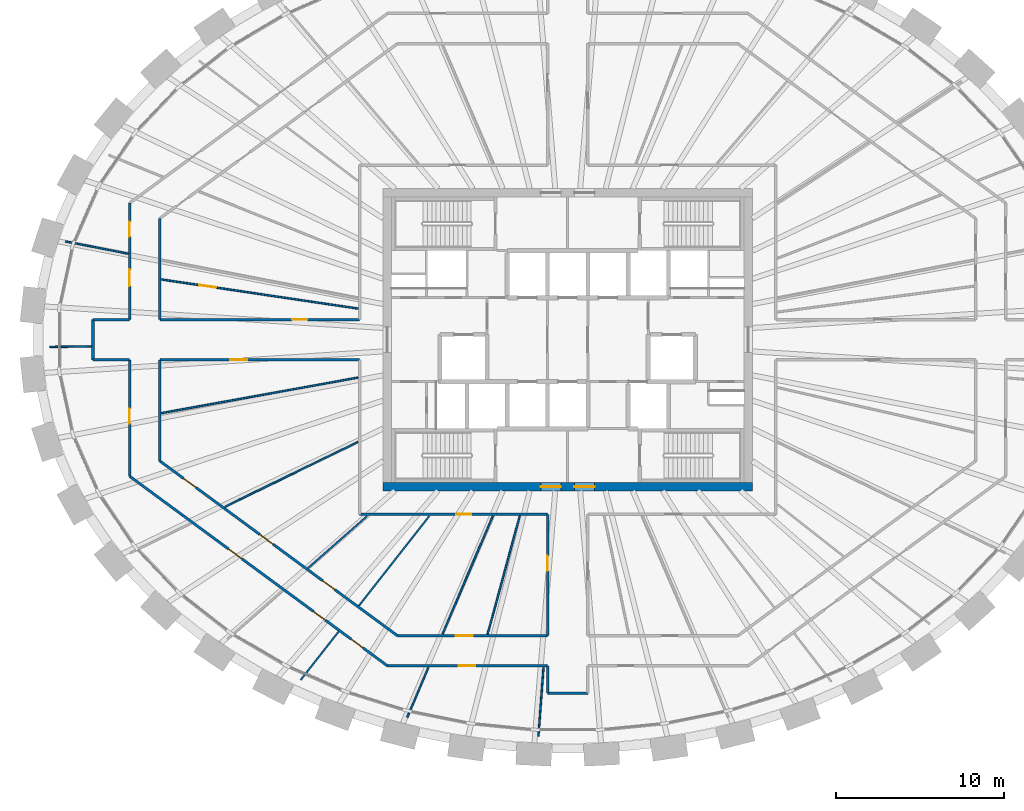
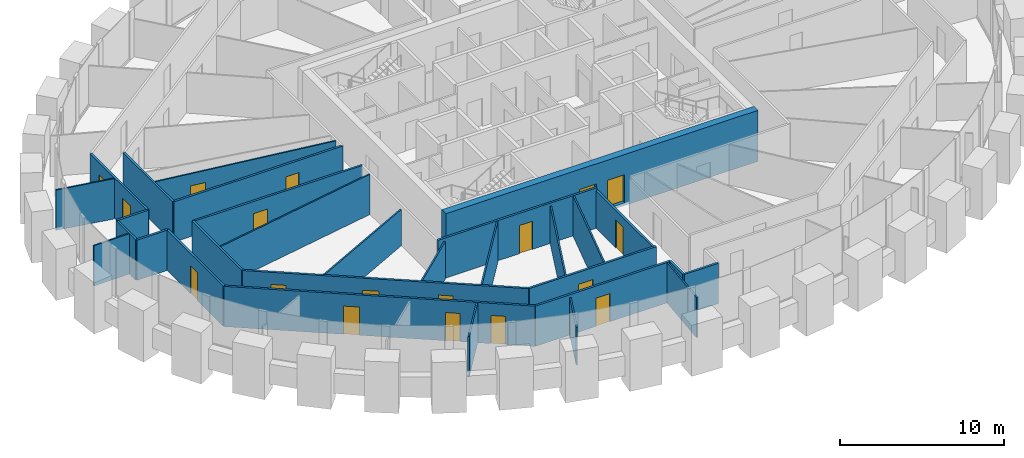
# One storey, part 6 of 12: 30 walls, 18 doors, 18 openings.
"""IFC4 building model written with IfcOpenShell, lengths in metres."""

from ifc_helpers import new_model, si_unit, direction, frame, frame_2d, origin, place, context, subcontext, project, spatial, rectangle, extrude, source, transform, mapped, material, layer, layer_set, type_object, element, fill, save


model = new_model("IFC4")

# Units and contexts
model_context = context("Model", 3, precision=1e-05, world=origin(), true_north=direction((0.0, 1.0)))
body_context = subcontext(model_context, "Body", "Model", "MODEL_VIEW")
ifc_project = project(units=[si_unit("LENGTHUNIT", "METRE"), si_unit("AREAUNIT", "SQUARE_METRE"), si_unit("VOLUMEUNIT", "CUBIC_METRE"), si_unit("PLANEANGLEUNIT", "RADIAN"), si_unit("MASSUNIT", "GRAM", prefix="KILO")], contexts=[model_context])

# Site, building, storey
site_placement = place(None, origin())
site = spatial("IfcSite", under=ifc_project, at=site_placement, CompositionType="ELEMENT")
building_placement = place(site_placement, origin())
building = spatial("IfcBuilding", under=site, at=building_placement, Name="Embergate Tower", CompositionType="ELEMENT")
storey_placement = place(building_placement, frame((0.0, 0.0, 285.10009765625)))
storey = spatial("IfcBuildingStorey", under=building, at=storey_placement, Name="L66", CompositionType="ELEMENT", Elevation=285.10009765625)

# Wall, openings, doors
ifc_material_1 = material(Name="Concrete C50", Category="concrete")
ifc_layer_1 = layer(ifc_material_1, 0.5)
ifc_layer_set_1 = layer_set([ifc_layer_1], Name="Concrete C50")
wall_type_1 = type_object("IfcWallType", Name="Core outer wall C50 500", PredefinedType="SHEAR", material=ifc_layer_set_1)
shared_shape_1 = source(origin(), body_context, "Body", "SweptSolid", [
    extrude(rectangle(XDim=22.0, YDim=0.5, at=frame_2d((11.0, 0.0))), origin(), (0.0, 0.0, 1.0), 3.800048828125),
])
wall_1_placement = place(storey_placement, frame((-11.0, -8.75, -0.2001953125), z_axis=(0.0, 0.0, 1.0), x_axis=(1.0, 0.0, 0.0)))
wall_1 = element("IfcWall", 1, at=wall_1_placement, inside=storey, type_object=wall_type_1, Name="CW-L66-S", PredefinedType="SHEAR", context=body_context, shape_type="MappedRepresentation", body=[
    mapped(shared_shape_1, transform((0.0, 0.0, 0.0))),
])
shared_shape_2 = source(origin(), body_context, "Body", "SweptSolid", [
    extrude(rectangle(XDim=1.199951171875, YDim=2.10009765625, at=frame_2d((0.60009765625, 1.050048828125))), frame((0.0, 0.260009765625, 0.0), z_axis=(0.0, -1.0, 0.0), x_axis=(1.0, 0.0, 0.0)), (0.0, 0.0, 1.0), 0.52001953125),
])
opening_1_placement = place(wall_1_placement, frame((9.39990234375, 0.0, 0.199951171875)))
opening_1 = element("IfcOpeningElement", 2, at=opening_1_placement, cuts=wall_1, Name="Opening IF-1", PredefinedType="OPENING", context=body_context, shape_type="MappedRepresentation", body=[
    mapped(shared_shape_2, transform((0.0, 0.0, 0.0))),
])
opening_2_placement = place(wall_1_placement, frame((11.39990234375, 0.0, 0.199951171875)))
opening_2 = element("IfcOpeningElement", 3, at=opening_2_placement, cuts=wall_1, Name="Opening IF-1", PredefinedType="OPENING", context=body_context, shape_type="MappedRepresentation", body=[
    mapped(shared_shape_2, transform((0.0, 0.0, 0.0))),
])
ifc_material_2 = material(Name="Escape fire door 1200")
door_type_1 = type_object("IfcDoorType", Name="Escape fire door 1200", OperationType="SINGLE_SWING_LEFT", PredefinedType="DOOR", material=ifc_material_2)
shared_shape_3 = source(origin(), body_context, "Body", "SweptSolid", [
    extrude(rectangle(XDim=1.199951171875, YDim=2.10009765625, at=frame_2d((0.60009765625, 1.050048828125))), frame((0.0, 0.02490234375, 0.0), z_axis=(0.0, -1.0, 0.0), x_axis=(1.0, 0.0, 0.0)), (0.0, 0.0, 1.0), 0.050048828125),
])
door_1_placement = place(opening_1_placement, origin())
door_1 = element("IfcDoor", 4, at=door_1_placement, inside=storey, type_object=door_type_1, Name="IF-1 door", OperationType="SINGLE_SWING_RIGHT", OverallHeight=2.10009765625, OverallWidth=1.199951171875, PredefinedType="DOOR", context=body_context, shape_type="MappedRepresentation", body=[
    mapped(shared_shape_3, transform((0.0, 0.0, 0.0))),
])
fill(opening_1, door_1)
door_2_placement = place(opening_2_placement, origin())
door_2 = element("IfcDoor", 5, at=door_2_placement, inside=storey, type_object=door_type_1, Name="IF-1 door", OperationType="SINGLE_SWING_LEFT", OverallHeight=2.10009765625, OverallWidth=1.199951171875, PredefinedType="DOOR", context=body_context, shape_type="MappedRepresentation", body=[
    mapped(shared_shape_3, transform((0.0, 0.0, 0.0))),
])
fill(opening_2, door_2)

# Walls
ifc_material_3 = material(Name="Corridor wall dry-lined 150")
ifc_layer_2 = layer(ifc_material_3, 0.14990234375)
ifc_layer_set_2 = layer_set([ifc_layer_2], Name="Corridor wall dry-lined 150")
wall_type_2 = type_object("IfcWallType", Name="Corridor wall dry-lined 150", PredefinedType="PARTITIONING", material=ifc_layer_set_2)
shared_shape_4 = source(origin(), body_context, "Body", "SweptSolid", [
    extrude(rectangle(XDim=2.39990234375, YDim=0.14990234375, at=frame_2d((1.199951171875, 0.0))), origin(), (0.0, 0.0, 1.0), 3.0),
])
for number, where, z_axis, x_axis, name in (
    (6, (1.199951171875, -21.055908203125, 0.0), (0.0, 0.0, 1.0), (-1.0, 0.0, 0.0), "IP-2 wall"),
    (7, (-28.27294921875, -1.199951171875, 0.0), (0.0, 0.0, 1.0), (0.0, 1.0, 0.0), "IP-2 wall"),
):
    element("IfcWall", number, at=place(storey_placement, frame(where, z_axis=z_axis, x_axis=x_axis)), inside=storey, type_object=wall_type_2, Name=name, PredefinedType="PARTITIONING", context=body_context, shape_type="MappedRepresentation", body=[
        mapped(shared_shape_4, transform((0.0, 0.0, 0.0))),
    ])

# Wall, openings, doors
shared_shape_5 = source(origin(), body_context, "Body", "SweptSolid", [
    extrude(rectangle(XDim=19.072265625, YDim=0.14990234375, at=frame_2d((9.5361328125, 0.0))), origin(), (0.0, 0.0, 1.0), 3.0),
])
wall_2_placement = place(storey_placement, frame((-26.096923828125, -8.1298828125, 0.0), z_axis=(0.0, 0.0, 1.0), x_axis=(0.805618847725, -0.592434192287, 0.0)))
wall_2 = element("IfcWall", 8, at=wall_2_placement, inside=storey, type_object=wall_type_2, Name="IP-2 wall", PredefinedType="PARTITIONING", context=body_context, shape_type="MappedRepresentation", body=[
    mapped(shared_shape_5, transform((0.0, 0.0, 0.0))),
])
shared_shape_6 = source(origin(), body_context, "Body", "SweptSolid", [
    extrude(rectangle(XDim=1.0, YDim=2.10009765625, at=frame_2d((0.5, 1.050048828125))), frame((0.0, 0.0849609375, 0.0), z_axis=(0.0, -1.0, 0.0), x_axis=(1.0, 0.0, 0.0)), (0.0, 0.0, 1.0), 0.169921875),
])
opening_3_placement = place(wall_2_placement, frame((7.31982421875, 0.0, 0.0)))
opening_3 = element("IfcOpeningElement", 9, at=opening_3_placement, cuts=wall_2, Name="Opening ID-2", PredefinedType="OPENING", context=body_context, shape_type="MappedRepresentation", body=[
    mapped(shared_shape_6, transform((0.0, 0.0, 0.0))),
])
shared_shape_7 = source(origin(), body_context, "Body", "SweptSolid", [
    extrude(rectangle(XDim=0.89990234375, YDim=2.10009765625, at=frame_2d((0.449951171875, 1.050048828125))), frame((0.0, 0.0849609375, 0.0), z_axis=(0.0, -1.0, 0.0), x_axis=(1.0, 0.0, 0.0)), (0.0, 0.0, 1.0), 0.169921875),
])
opening_4_placement = place(wall_2_placement, frame((13.583984375, 0.0, 0.0)))
opening_4 = element("IfcOpeningElement", 10, at=opening_4_placement, cuts=wall_2, Name="Opening IF-1c", PredefinedType="OPENING", context=body_context, shape_type="MappedRepresentation", body=[
    mapped(shared_shape_7, transform((0.0, 0.0, 0.0))),
])
opening_5_placement = place(wall_2_placement, frame((16.373046875, 0.0, 0.0)))
opening_5 = element("IfcOpeningElement", 11, at=opening_5_placement, cuts=wall_2, Name="Opening IF-1c", PredefinedType="OPENING", context=body_context, shape_type="MappedRepresentation", body=[
    mapped(shared_shape_7, transform((0.0, 0.0, 0.0))),
])
ifc_material_4 = material(Name="Escape fire door 900")
door_type_2 = type_object("IfcDoorType", Name="Escape fire door 900", OperationType="SINGLE_SWING_LEFT", PredefinedType="DOOR", material=ifc_material_4)
shared_shape_8 = source(origin(), body_context, "Body", "SweptSolid", [
    extrude(rectangle(XDim=0.89990234375, YDim=2.10009765625, at=frame_2d((0.449951171875, 1.050048828125))), frame((0.0, 0.02490234375, 0.0), z_axis=(0.0, -1.0, 0.0), x_axis=(1.0, 0.0, 0.0)), (0.0, 0.0, 1.0), 0.050048828125),
])
door_3_placement = place(opening_4_placement, origin())
door_3 = element("IfcDoor", 12, at=door_3_placement, inside=storey, type_object=door_type_2, Name="IF-1 door", OperationType="SINGLE_SWING_RIGHT", OverallHeight=2.10009765625, OverallWidth=0.89990234375, PredefinedType="DOOR", context=body_context, shape_type="MappedRepresentation", body=[
    mapped(shared_shape_8, transform((0.0, 0.0, 0.0))),
])
fill(opening_4, door_3)
door_4_placement = place(opening_5_placement, origin())
door_4 = element("IfcDoor", 13, at=door_4_placement, inside=storey, type_object=door_type_2, Name="IF-1 door", OperationType="SINGLE_SWING_RIGHT", OverallHeight=2.10009765625, OverallWidth=0.89990234375, PredefinedType="DOOR", context=body_context, shape_type="MappedRepresentation", body=[
    mapped(shared_shape_8, transform((0.0, 0.0, 0.0))),
])
fill(opening_5, door_4)
ifc_material_5 = material(Name="Interior door 1000")
door_type_3 = type_object("IfcDoorType", Name="Interior door 1000", OperationType="SINGLE_SWING_LEFT", PredefinedType="DOOR", material=ifc_material_5)
shared_shape_9 = source(origin(), body_context, "Body", "SweptSolid", [
    extrude(rectangle(XDim=1.0, YDim=2.10009765625, at=frame_2d((0.5, 1.050048828125))), frame((0.0, 0.02490234375, 0.0), z_axis=(0.0, -1.0, 0.0), x_axis=(1.0, 0.0, 0.0)), (0.0, 0.0, 1.0), 0.050048828125),
])
door_5_placement = place(opening_3_placement, origin())
door_5 = element("IfcDoor", 14, at=door_5_placement, inside=storey, type_object=door_type_3, Name="ID-2 door", OperationType="SINGLE_SWING_RIGHT", OverallHeight=2.10009765625, OverallWidth=1.0, PredefinedType="DOOR", context=body_context, shape_type="MappedRepresentation", body=[
    mapped(shared_shape_9, transform((0.0, 0.0, 0.0))),
])
fill(opening_3, door_5)

# Wall, opening, door
shared_shape_10 = source(origin(), body_context, "Body", "SweptSolid", [
    extrude(rectangle(XDim=9.531982421875, YDim=0.14990234375, at=frame_2d((4.76611328125, 0.0))), origin(), (0.0, 0.0, 1.0), 3.0),
])
wall_3_placement = place(storey_placement, frame((-1.199951171875, -19.428955078125, 0.0), z_axis=(0.0, 0.0, 1.0), x_axis=(-1.0, 0.0, 0.0)))
wall_3 = element("IfcWall", 15, at=wall_3_placement, inside=storey, type_object=wall_type_2, Name="IP-2 wall", PredefinedType="PARTITIONING", context=body_context, shape_type="MappedRepresentation", body=[
    mapped(shared_shape_10, transform((0.0, 0.0, 0.0))),
])
opening_6_placement = place(wall_3_placement, frame((4.294921875, 0.0, 0.0)))
opening_6 = element("IfcOpeningElement", 16, at=opening_6_placement, cuts=wall_3, Name="Opening ID-2", PredefinedType="OPENING", context=body_context, shape_type="MappedRepresentation", body=[
    mapped(shared_shape_6, transform((0.0, 0.0, 0.0))),
])
door_6_placement = place(opening_6_placement, origin())
door_6 = element("IfcDoor", 17, at=door_6_placement, inside=storey, type_object=door_type_3, Name="ID-2 door", OperationType="SINGLE_SWING_LEFT", OverallHeight=2.10009765625, OverallWidth=1.0, PredefinedType="DOOR", context=body_context, shape_type="MappedRepresentation", body=[
    mapped(shared_shape_9, transform((0.0, 0.0, 0.0))),
])
fill(opening_6, door_6)

# Wall, openings, doors
shared_shape_11 = source(origin(), body_context, "Body", "SweptSolid", [
    extrude(rectangle(XDim=17.570068359375, YDim=0.14990234375, at=frame_2d((8.78515625, 0.0))), origin(), (0.0, 0.0, 1.0), 3.0),
])
wall_4_placement = place(storey_placement, frame((-10.14208984375, -17.62890625, 0.0), z_axis=(0.0, 0.0, 1.0), x_axis=(-0.805628581617, 0.592420955471, 0.0)))
wall_4 = element("IfcWall", 18, at=wall_4_placement, inside=storey, type_object=wall_type_2, Name="IP-2 wall", PredefinedType="PARTITIONING", context=body_context, shape_type="MappedRepresentation", body=[
    mapped(shared_shape_11, transform((0.0, 0.0, 0.0))),
])
opening_7_placement = place(wall_4_placement, frame((9.194580078125, 0.0, 0.0)))
opening_7 = element("IfcOpeningElement", 19, at=opening_7_placement, cuts=wall_4, Name="Opening ID-2", PredefinedType="OPENING", context=body_context, shape_type="MappedRepresentation", body=[
    mapped(shared_shape_6, transform((0.0, 0.0, 0.0))),
])
opening_8_placement = place(wall_4_placement, frame((4.626953125, 0.0, 0.0)))
opening_8 = element("IfcOpeningElement", 20, at=opening_8_placement, cuts=wall_4, Name="Opening IF-1c", PredefinedType="OPENING", context=body_context, shape_type="MappedRepresentation", body=[
    mapped(shared_shape_7, transform((0.0, 0.0, 0.0))),
])
opening_9_placement = place(wall_4_placement, frame((14.901123046875, 0.0, 0.0)))
opening_9 = element("IfcOpeningElement", 21, at=opening_9_placement, cuts=wall_4, Name="Opening IF-1c", PredefinedType="OPENING", context=body_context, shape_type="MappedRepresentation", body=[
    mapped(shared_shape_7, transform((0.0, 0.0, 0.0))),
])
door_7_placement = place(opening_8_placement, origin())
door_7 = element("IfcDoor", 22, at=door_7_placement, inside=storey, type_object=door_type_2, Name="IF-1 door", OperationType="SINGLE_SWING_LEFT", OverallHeight=2.10009765625, OverallWidth=0.89990234375, PredefinedType="DOOR", context=body_context, shape_type="MappedRepresentation", body=[
    mapped(shared_shape_8, transform((0.0, 0.0, 0.0))),
])
fill(opening_8, door_7)
door_8_placement = place(opening_9_placement, origin())
door_8 = element("IfcDoor", 23, at=door_8_placement, inside=storey, type_object=door_type_2, Name="IF-1 door", OperationType="SINGLE_SWING_LEFT", OverallHeight=2.10009765625, OverallWidth=0.89990234375, PredefinedType="DOOR", context=body_context, shape_type="MappedRepresentation", body=[
    mapped(shared_shape_8, transform((0.0, 0.0, 0.0))),
])
fill(opening_9, door_8)
door_9_placement = place(opening_7_placement, origin())
door_9 = element("IfcDoor", 24, at=door_9_placement, inside=storey, type_object=door_type_3, Name="ID-2 door", OperationType="SINGLE_SWING_LEFT", OverallHeight=2.10009765625, OverallWidth=1.0, PredefinedType="DOOR", context=body_context, shape_type="MappedRepresentation", body=[
    mapped(shared_shape_9, transform((0.0, 0.0, 0.0))),
])
fill(opening_7, door_9)

# Wall, opening, door
shared_shape_12 = source(origin(), body_context, "Body", "SweptSolid", [
    extrude(rectangle(XDim=11.199951171875, YDim=0.14990234375, at=frame_2d((5.60009765625, 0.0))), origin(), (0.0, 0.0, 1.0), 3.0),
])
wall_5_placement = place(storey_placement, frame((-12.39990234375, -10.39990234375, 0.0), z_axis=(0.0, 0.0, 1.0), x_axis=(1.0, 0.0, 0.0)))
wall_5 = element("IfcWall", 25, at=wall_5_placement, inside=storey, type_object=wall_type_2, Name="IP-2 wall", PredefinedType="PARTITIONING", context=body_context, shape_type="MappedRepresentation", body=[
    mapped(shared_shape_12, transform((0.0, 0.0, 0.0))),
])
opening_10_placement = place(wall_5_placement, frame((5.7490234375, 0.0, 0.0)))
opening_10 = element("IfcOpeningElement", 26, at=opening_10_placement, cuts=wall_5, Name="Opening IF-1c", PredefinedType="OPENING", context=body_context, shape_type="MappedRepresentation", body=[
    mapped(shared_shape_7, transform((0.0, 0.0, 0.0))),
])
door_10_placement = place(opening_10_placement, origin())
door_10 = element("IfcDoor", 27, at=door_10_placement, inside=storey, type_object=door_type_2, Name="IF-1 door", OperationType="SINGLE_SWING_LEFT", OverallHeight=2.10009765625, OverallWidth=0.89990234375, PredefinedType="DOOR", context=body_context, shape_type="MappedRepresentation", body=[
    mapped(shared_shape_8, transform((0.0, 0.0, 0.0))),
])
fill(opening_10, door_10)

shared_shape_13 = source(origin(), body_context, "Body", "SweptSolid", [
    extrude(rectangle(XDim=8.942138671875, YDim=0.14990234375, at=frame_2d((4.47119140625, 0.0))), origin(), (0.0, 0.0, 1.0), 3.0),
])
wall_6_placement = place(storey_placement, frame((-10.14208984375, -17.62890625, 0.0), z_axis=(0.0, 0.0, 1.0), x_axis=(1.0, 0.0, 0.0)))
wall_6 = element("IfcWall", 28, at=wall_6_placement, inside=storey, type_object=wall_type_2, Name="IP-2 wall", PredefinedType="PARTITIONING", context=body_context, shape_type="MappedRepresentation", body=[
    mapped(shared_shape_13, transform((0.0, 0.0, 0.0))),
])
opening_11_placement = place(wall_6_placement, frame((3.4765625, 0.0, 0.0)))
opening_11 = element("IfcOpeningElement", 29, at=opening_11_placement, cuts=wall_6, Name="Opening ID-2", PredefinedType="OPENING", context=body_context, shape_type="MappedRepresentation", body=[
    mapped(shared_shape_6, transform((0.0, 0.0, 0.0))),
])
door_11_placement = place(opening_11_placement, origin())
door_11 = element("IfcDoor", 30, at=door_11_placement, inside=storey, type_object=door_type_3, Name="ID-2 door", OperationType="SINGLE_SWING_RIGHT", OverallHeight=2.10009765625, OverallWidth=1.0, PredefinedType="DOOR", context=body_context, shape_type="MappedRepresentation", body=[
    mapped(shared_shape_9, transform((0.0, 0.0, 0.0))),
])
fill(opening_11, door_11)

# Wall
shared_shape_14 = source(origin(), body_context, "Body", "SweptSolid", [
    extrude(rectangle(XDim=1.626953125, YDim=0.14990234375, at=frame_2d((0.8134765625, 0.0))), origin(), (0.0, 0.0, 1.0), 3.0),
])
wall_7_placement = place(storey_placement, frame((-1.199951171875, -21.055908203125, 0.0), z_axis=(0.0, 0.0, 1.0), x_axis=(0.0, 1.0, 0.0)))
element("IfcWall", 31, at=wall_7_placement, inside=storey, type_object=wall_type_2, Name="IP-2 wall", PredefinedType="PARTITIONING", context=body_context, shape_type="MappedRepresentation", body=[
    mapped(shared_shape_14, transform((0.0, 0.0, 0.0))),
])

# Wall, opening, door
shared_shape_15 = source(origin(), body_context, "Body", "SweptSolid", [
    extrude(rectangle(XDim=7.22900390625, YDim=0.14990234375, at=frame_2d((3.614501953125, 0.0))), origin(), (0.0, 0.0, 1.0), 2.7998046875),
])
wall_8_placement = place(storey_placement, frame((-1.199951171875, -17.62890625, 0.0), z_axis=(0.0, 0.0, 1.0), x_axis=(0.0, 1.0, 0.0)))
wall_8 = element("IfcWall", 32, at=wall_8_placement, inside=storey, type_object=wall_type_2, Name="IP-2 wall", PredefinedType="PARTITIONING", context=body_context, shape_type="MappedRepresentation", body=[
    mapped(shared_shape_15, transform((0.0, 0.0, 0.0))),
])
opening_12_placement = place(wall_8_placement, frame((3.852294921875, 0.0, 0.0)))
opening_12 = element("IfcOpeningElement", 33, at=opening_12_placement, cuts=wall_8, Name="Opening IF-1c", PredefinedType="OPENING", context=body_context, shape_type="MappedRepresentation", body=[
    mapped(shared_shape_7, transform((0.0, 0.0, 0.0))),
])
door_12_placement = place(opening_12_placement, origin())
door_12 = element("IfcDoor", 34, at=door_12_placement, inside=storey, type_object=door_type_2, Name="IF-1 door", OperationType="SINGLE_SWING_LEFT", OverallHeight=2.10009765625, OverallWidth=0.89990234375, PredefinedType="DOOR", context=body_context, shape_type="MappedRepresentation", body=[
    mapped(shared_shape_8, transform((0.0, 0.0, 0.0))),
])
fill(opening_12, door_12)

# Wall, openings, doors
shared_shape_16 = source(origin(), body_context, "Body", "SweptSolid", [
    extrude(rectangle(XDim=6.929931640625, YDim=0.14990234375, at=frame_2d((3.46484375, 0.0))), origin(), (0.0, 0.0, 1.0), 3.0),
])
wall_9_placement = place(storey_placement, frame((-26.096923828125, 1.199951171875, 0.0), z_axis=(0.0, 0.0, 1.0), x_axis=(0.0, 1.0, 0.0)))
wall_9 = element("IfcWall", 35, at=wall_9_placement, inside=storey, type_object=wall_type_2, Name="IP-2 wall", PredefinedType="PARTITIONING", context=body_context, shape_type="MappedRepresentation", body=[
    mapped(shared_shape_16, transform((0.0, 0.0, 0.0))),
])
opening_13_placement = place(wall_9_placement, frame((4.93798828125, 0.0, 0.0)))
opening_13 = element("IfcOpeningElement", 36, at=opening_13_placement, cuts=wall_9, Name="Opening IF-1c", PredefinedType="OPENING", context=body_context, shape_type="MappedRepresentation", body=[
    mapped(shared_shape_7, transform((0.0, 0.0, 0.0))),
])
opening_14_placement = place(wall_9_placement, frame((1.98388671875, 0.0, 0.0)))
opening_14 = element("IfcOpeningElement", 37, at=opening_14_placement, cuts=wall_9, Name="Opening ID-2", PredefinedType="OPENING", context=body_context, shape_type="MappedRepresentation", body=[
    mapped(shared_shape_6, transform((0.0, 0.0, 0.0))),
])
door_13_placement = place(opening_13_placement, origin())
door_13 = element("IfcDoor", 38, at=door_13_placement, inside=storey, type_object=door_type_2, Name="IF-1 door", OperationType="SINGLE_SWING_LEFT", OverallHeight=2.10009765625, OverallWidth=0.89990234375, PredefinedType="DOOR", context=body_context, shape_type="MappedRepresentation", body=[
    mapped(shared_shape_8, transform((0.0, 0.0, 0.0))),
])
fill(opening_13, door_13)
door_14_placement = place(opening_14_placement, origin())
door_14 = element("IfcDoor", 39, at=door_14_placement, inside=storey, type_object=door_type_3, Name="ID-2 door", OperationType="SINGLE_SWING_RIGHT", OverallHeight=2.10009765625, OverallWidth=1.0, PredefinedType="DOOR", context=body_context, shape_type="MappedRepresentation", body=[
    mapped(shared_shape_9, transform((0.0, 0.0, 0.0))),
])
fill(opening_14, door_14)

# Wall, opening, door
wall_10_placement = place(storey_placement, frame((-26.096923828125, -1.199951171875, 0.0), z_axis=(0.0, 0.0, 1.0), x_axis=(0.0, -1.0, 0.0)))
wall_10 = element("IfcWall", 40, at=wall_10_placement, inside=storey, type_object=wall_type_2, Name="IP-2 wall", PredefinedType="PARTITIONING", context=body_context, shape_type="MappedRepresentation", body=[
    mapped(shared_shape_16, transform((0.0, 0.0, 0.0))),
])
opening_15_placement = place(wall_10_placement, frame((2.906982421875, 0.0, 0.0)))
opening_15 = element("IfcOpeningElement", 41, at=opening_15_placement, cuts=wall_10, Name="Opening IF-1c", PredefinedType="OPENING", context=body_context, shape_type="MappedRepresentation", body=[
    mapped(shared_shape_7, transform((0.0, 0.0, 0.0))),
])
door_15_placement = place(opening_15_placement, origin())
door_15 = element("IfcDoor", 42, at=door_15_placement, inside=storey, type_object=door_type_2, Name="IF-1 door", OperationType="SINGLE_SWING_LEFT", OverallHeight=2.10009765625, OverallWidth=0.89990234375, PredefinedType="DOOR", context=body_context, shape_type="MappedRepresentation", body=[
    mapped(shared_shape_8, transform((0.0, 0.0, 0.0))),
])
fill(opening_15, door_15)

# Walls
shared_shape_17 = source(origin(), body_context, "Body", "SweptSolid", [
    extrude(rectangle(XDim=2.176025390625, YDim=0.14990234375, at=frame_2d((1.087890625, 0.0))), origin(), (0.0, 0.0, 1.0), 3.0),
])
for number, where, z_axis, x_axis, name in (
    (43, (-28.27294921875, 1.199951171875, 0.0), (0.0, 0.0, 1.0), (1.0, 0.0, 0.0), "IP-2 wall"),
    (44, (-28.27294921875, -1.199951171875, 0.0), (0.0, 0.0, 1.0), (1.0, 0.0, 0.0), "IP-2 wall"),
):
    element("IfcWall", number, at=place(storey_placement, frame(where, z_axis=z_axis, x_axis=x_axis)), inside=storey, type_object=wall_type_2, Name=name, PredefinedType="PARTITIONING", context=body_context, shape_type="MappedRepresentation", body=[
        mapped(shared_shape_17, transform((0.0, 0.0, 0.0))),
    ])
shared_shape_18 = source(origin(), body_context, "Body", "SweptSolid", [
    extrude(rectangle(XDim=6.02001953125, YDim=0.14990234375, at=frame_2d((3.010009765625, 0.0))), origin(), (0.0, 0.0, 1.0), 3.0),
])
for number, where, z_axis, x_axis, name in (
    (45, (-24.297119140625, 1.199951171875, 0.0), (0.0, 0.0, 1.0), (0.0, 1.0, 0.0), "IP-2 wall"),
    (46, (-24.297119140625, -1.199951171875, 0.0), (0.0, 0.0, 1.0), (0.0, -1.0, 0.0), "IP-2 wall"),
):
    element("IfcWall", number, at=place(storey_placement, frame(where, z_axis=z_axis, x_axis=x_axis)), inside=storey, type_object=wall_type_2, Name=name, PredefinedType="PARTITIONING", context=body_context, shape_type="MappedRepresentation", body=[
        mapped(shared_shape_18, transform((0.0, 0.0, 0.0))),
    ])

# Wall, opening, door
shared_shape_19 = source(origin(), body_context, "Body", "SweptSolid", [
    extrude(rectangle(XDim=11.897216796875, YDim=0.14990234375, at=frame_2d((5.94873046875, 0.0))), origin(), (0.0, 0.0, 1.0), 3.0),
])
wall_11_placement = place(storey_placement, frame((-12.39990234375, -1.199951171875, 0.0), z_axis=(0.0, 0.0, 1.0), x_axis=(-1.0, 0.0, 0.0)))
wall_11 = element("IfcWall", 47, at=wall_11_placement, inside=storey, type_object=wall_type_2, Name="IP-2 wall", PredefinedType="PARTITIONING", context=body_context, shape_type="MappedRepresentation", body=[
    mapped(shared_shape_19, transform((0.0, 0.0, 0.0))),
])
opening_16_placement = place(wall_11_placement, frame((6.68408203125, 0.0, 0.0)))
opening_16 = element("IfcOpeningElement", 48, at=opening_16_placement, cuts=wall_11, Name="Opening ID-2", PredefinedType="OPENING", context=body_context, shape_type="MappedRepresentation", body=[
    mapped(shared_shape_6, transform((0.0, 0.0, 0.0))),
])
door_16_placement = place(opening_16_placement, origin())
door_16 = element("IfcDoor", 49, at=door_16_placement, inside=storey, type_object=door_type_3, Name="ID-2 door", OperationType="SINGLE_SWING_LEFT", OverallHeight=2.10009765625, OverallWidth=1.0, PredefinedType="DOOR", context=body_context, shape_type="MappedRepresentation", body=[
    mapped(shared_shape_9, transform((0.0, 0.0, 0.0))),
])
fill(opening_16, door_16)

wall_12_placement = place(storey_placement, frame((-24.297119140625, 1.199951171875, 0.0), z_axis=(0.0, 0.0, 1.0), x_axis=(1.0, 0.0, 0.0)))
wall_12 = element("IfcWall", 50, at=wall_12_placement, inside=storey, type_object=wall_type_2, Name="IP-2 wall", PredefinedType="PARTITIONING", context=body_context, shape_type="MappedRepresentation", body=[
    mapped(shared_shape_19, transform((0.0, 0.0, 0.0))),
])
opening_17_placement = place(wall_12_placement, frame((7.889892578125, 0.0, 0.0)))
opening_17 = element("IfcOpeningElement", 51, at=opening_17_placement, cuts=wall_12, Name="Opening IF-1c", PredefinedType="OPENING", context=body_context, shape_type="MappedRepresentation", body=[
    mapped(shared_shape_7, transform((0.0, 0.0, 0.0))),
])
door_17_placement = place(opening_17_placement, origin())
door_17 = element("IfcDoor", 52, at=door_17_placement, inside=storey, type_object=door_type_2, Name="IF-1 door", OperationType="SINGLE_SWING_RIGHT", OverallHeight=2.10009765625, OverallWidth=0.89990234375, PredefinedType="DOOR", context=body_context, shape_type="MappedRepresentation", body=[
    mapped(shared_shape_8, transform((0.0, 0.0, 0.0))),
])
fill(opening_17, door_17)

# Walls
ifc_material_6 = material(Name="Partition dry-lined 100")
ifc_layer_3 = layer(ifc_material_6, 0.10009765625)
ifc_layer_set_3 = layer_set([ifc_layer_3], Name="Partition dry-lined 100")
wall_type_3 = type_object("IfcWallType", Name="Partition dry-lined 100", PredefinedType="PARTITIONING", material=ifc_layer_set_3)
shared_shape_20 = source(origin(), body_context, "Body", "SweptSolid", [
    extrude(rectangle(XDim=3.670654296875, YDim=0.10009765625, at=frame_2d((1.83544921875, 0.0))), origin(), (0.0, 0.0, 1.0), 3.0),
])
wall_13_placement = place(storey_placement, frame((-13.64208984375, -17.383056640625, 0.0), z_axis=(0.0, 0.0, 1.0), x_axis=(-0.617277995777, -0.786745114971, 0.0)))
element("IfcWall", 53, at=wall_13_placement, inside=storey, type_object=wall_type_3, Name="IP-1 wall", PredefinedType="PARTITIONING", context=body_context, shape_type="MappedRepresentation", body=[
    mapped(shared_shape_20, transform((0.0, 0.0, 0.0))),
])
shared_shape_21 = source(origin(), body_context, "Body", "SweptSolid", [
    extrude(rectangle(XDim=3.222412109375, YDim=0.10009765625, at=frame_2d((1.611328125, 0.0))), origin(), (0.0, 0.0, 1.0), 2.7998046875),
])
wall_14_placement = place(storey_placement, frame((-8.297119140625, -19.52392578125, 0.0), z_axis=(0.0, 0.0, 1.0), x_axis=(-0.390927263481, -0.920421574425, 0.0)))
element("IfcWall", 54, at=wall_14_placement, inside=storey, type_object=wall_type_3, Name="IP-1 wall", PredefinedType="PARTITIONING", context=body_context, shape_type="MappedRepresentation", body=[
    mapped(shared_shape_21, transform((0.0, 0.0, 0.0))),
])
shared_shape_22 = source(origin(), body_context, "Body", "SweptSolid", [
    extrude(rectangle(XDim=4.682861328125, YDim=0.10009765625, at=frame_2d((2.34130859375, 0.0))), origin(), (0.0, 0.0, 1.0), 2.7998046875),
])
wall_15_placement = place(storey_placement, frame((-11.9541015625, -10.511962890625, 0.0), z_axis=(0.0, 0.0, 1.0), x_axis=(-0.750813831722, -0.660513883347, 0.0)))
element("IfcWall", 55, at=wall_15_placement, inside=storey, type_object=wall_type_3, Name="IP-1 wall", PredefinedType="PARTITIONING", context=body_context, shape_type="MappedRepresentation", body=[
    mapped(shared_shape_22, transform((0.0, 0.0, 0.0))),
])
shared_shape_23 = source(origin(), body_context, "Body", "SweptSolid", [
    extrude(rectangle(XDim=8.8095703125, YDim=0.10009765625, at=frame_2d((4.40478515625, 0.0))), origin(), (0.0, 0.0, 1.0), 2.699951171875),
])
wall_16_placement = place(storey_placement, frame((-12.4970703125, -6.092041015625, 0.0), z_axis=(0.0, 0.0, 1.0), x_axis=(-0.898904238301, -0.438145147599, 0.0)))
element("IfcWall", 56, at=wall_16_placement, inside=storey, type_object=wall_type_3, Name="IP-1 wall", PredefinedType="PARTITIONING", context=body_context, shape_type="MappedRepresentation", body=[
    mapped(shared_shape_23, transform((0.0, 0.0, 0.0))),
])
shared_shape_24 = source(origin(), body_context, "Body", "SweptSolid", [
    extrude(rectangle(XDim=6.790283203125, YDim=0.10009765625, at=frame_2d((3.39501953125, 0.0))), origin(), (0.0, 0.0, 1.0), 3.0),
])
wall_17_placement = place(storey_placement, frame((-8.2451171875, -10.506103515625, 0.0), z_axis=(0.0, 0.0, 1.0), x_axis=(-0.617345064922, -0.786692488089, 0.0)))
element("IfcWall", 57, at=wall_17_placement, inside=storey, type_object=wall_type_3, Name="IP-1 wall", PredefinedType="PARTITIONING", context=body_context, shape_type="MappedRepresentation", body=[
    mapped(shared_shape_24, transform((0.0, 0.0, 0.0))),
])
shared_shape_25 = source(origin(), body_context, "Body", "SweptSolid", [
    extrude(rectangle(XDim=7.649169921875, YDim=0.10009765625, at=frame_2d((3.82470703125, 0.0))), origin(), (0.0, 0.0, 1.0), 2.7998046875),
])
wall_18_placement = place(storey_placement, frame((-4.4599609375, -10.4951171875, 0.0), z_axis=(0.0, 0.0, 1.0), x_axis=(-0.391144019601, -0.920329482267, 0.0)))
element("IfcWall", 58, at=wall_18_placement, inside=storey, type_object=wall_type_3, Name="IP-1 wall", PredefinedType="PARTITIONING", context=body_context, shape_type="MappedRepresentation", body=[
    mapped(shared_shape_25, transform((0.0, 0.0, 0.0))),
])
shared_shape_26 = source(origin(), body_context, "Body", "SweptSolid", [
    extrude(rectangle(XDim=4.122314453125, YDim=0.10009765625, at=frame_2d((2.06103515625, 0.0))), origin(), (0.0, 0.0, 1.0), 3.0),
])
wall_19_placement = place(storey_placement, frame((-1.44091796875, -19.50390625, 0.0), z_axis=(0.0, 0.0, 1.0), x_axis=(-0.073498633492, -0.997295317784, 0.0)))
element("IfcWall", 59, at=wall_19_placement, inside=storey, type_object=wall_type_3, Name="IP-1 wall", PredefinedType="PARTITIONING", context=body_context, shape_type="MappedRepresentation", body=[
    mapped(shared_shape_26, transform((0.0, 0.0, 0.0))),
])
shared_shape_27 = source(origin(), body_context, "Body", "SweptSolid", [
    extrude(rectangle(XDim=7.30908203125, YDim=0.10009765625, at=frame_2d((3.654541015625, 0.0))), origin(), (0.0, 0.0, 1.0), 3.0),
])
wall_20_placement = place(storey_placement, frame((-2.85205078125, -10.488037109375, 0.0), z_axis=(0.0, 0.0, 1.0), x_axis=(-0.262407922671, -0.964957036411, 0.0)))
element("IfcWall", 60, at=wall_20_placement, inside=storey, type_object=wall_type_3, Name="IP-1 wall", PredefinedType="PARTITIONING", context=body_context, shape_type="MappedRepresentation", body=[
    mapped(shared_shape_27, transform((0.0, 0.0, 0.0))),
])
shared_shape_28 = source(origin(), body_context, "Body", "SweptSolid", [
    extrude(rectangle(XDim=3.796630859375, YDim=0.10009765625, at=frame_2d((1.8984375, 0.0))), origin(), (0.0, 0.0, 1.0), 3.0),
])
wall_21_placement = place(storey_placement, frame((-26.181884765625, 5.123046875, 0.0), z_axis=(0.0, 0.0, 1.0), x_axis=(-0.981393181691, 0.192008913676, 0.0)))
element("IfcWall", 61, at=wall_21_placement, inside=storey, type_object=wall_type_3, Name="IP-1 wall", PredefinedType="PARTITIONING", context=body_context, shape_type="MappedRepresentation", body=[
    mapped(shared_shape_28, transform((0.0, 0.0, 0.0))),
])
shared_shape_29 = source(origin(), body_context, "Body", "SweptSolid", [
    extrude(rectangle(XDim=2.513427734375, YDim=0.10009765625, at=frame_2d((1.2568359375, 0.0))), origin(), (0.0, 0.0, 1.0), 3.0),
])
wall_22_placement = place(storey_placement, frame((-28.347900390625, -0.39599609375, 0.0), z_axis=(0.0, 0.0, 1.0), x_axis=(-0.999903525863, -0.013890247154, 0.0)))
element("IfcWall", 62, at=wall_22_placement, inside=storey, type_object=wall_type_3, Name="IP-1 wall", PredefinedType="PARTITIONING", context=body_context, shape_type="MappedRepresentation", body=[
    mapped(shared_shape_29, transform((0.0, 0.0, 0.0))),
])
shared_shape_30 = source(origin(), body_context, "Body", "SweptSolid", [
    extrude(rectangle(XDim=11.9189453125, YDim=0.10009765625, at=frame_2d((5.95947265625, 0.0))), origin(), (0.0, 0.0, 1.0), 3.0),
])
wall_23_placement = place(storey_placement, frame((-12.48388671875, -2.257080078125, 0.0), z_axis=(0.0, 0.0, 1.0), x_axis=(-0.984056506758, -0.177856097752, 0.0)))
element("IfcWall", 63, at=wall_23_placement, inside=storey, type_object=wall_type_3, Name="IP-1 wall", PredefinedType="PARTITIONING", context=body_context, shape_type="MappedRepresentation", body=[
    mapped(shared_shape_30, transform((0.0, 0.0, 0.0))),
])

# Wall, opening, door
shared_shape_31 = source(origin(), body_context, "Body", "SweptSolid", [
    extrude(rectangle(XDim=11.861328125, YDim=0.10009765625, at=frame_2d((5.9306640625, 0.0))), origin(), (0.0, 0.0, 1.0), 3.0),
])
wall_24_placement = place(storey_placement, frame((-12.48193359375, 1.85009765625, 0.0), z_axis=(0.0, 0.0, 1.0), x_axis=(-0.989194066779, 0.146612067202, 0.0)))
wall_24 = element("IfcWall", 64, at=wall_24_placement, inside=storey, type_object=wall_type_3, Name="IP-1 wall", PredefinedType="PARTITIONING", context=body_context, shape_type="MappedRepresentation", body=[
    mapped(shared_shape_31, transform((0.0, 0.0, 0.0))),
])
shared_shape_32 = source(origin(), body_context, "Body", "SweptSolid", [
    extrude(rectangle(XDim=1.0, YDim=2.10009765625, at=frame_2d((0.5, 1.050048828125))), frame((0.0, 0.06005859375, 0.0), z_axis=(0.0, -1.0, 0.0), x_axis=(1.0, 0.0, 0.0)), (0.0, 0.0, 1.0), 0.1201171875),
])
opening_18_placement = place(wall_24_placement, frame((8.55859375, 0.0, 0.0)))
opening_18 = element("IfcOpeningElement", 65, at=opening_18_placement, cuts=wall_24, Name="Opening ID-2", PredefinedType="OPENING", context=body_context, shape_type="MappedRepresentation", body=[
    mapped(shared_shape_32, transform((0.0, 0.0, 0.0))),
])
door_18_placement = place(opening_18_placement, origin())
door_18 = element("IfcDoor", 66, at=door_18_placement, inside=storey, type_object=door_type_3, Name="ID-2 door", OperationType="SINGLE_SWING_LEFT", OverallHeight=2.10009765625, OverallWidth=1.0, PredefinedType="DOOR", context=body_context, shape_type="MappedRepresentation", body=[
    mapped(shared_shape_9, transform((0.0, 0.0, 0.0))),
])
fill(opening_18, door_18)

save(model, "model.ifc")
